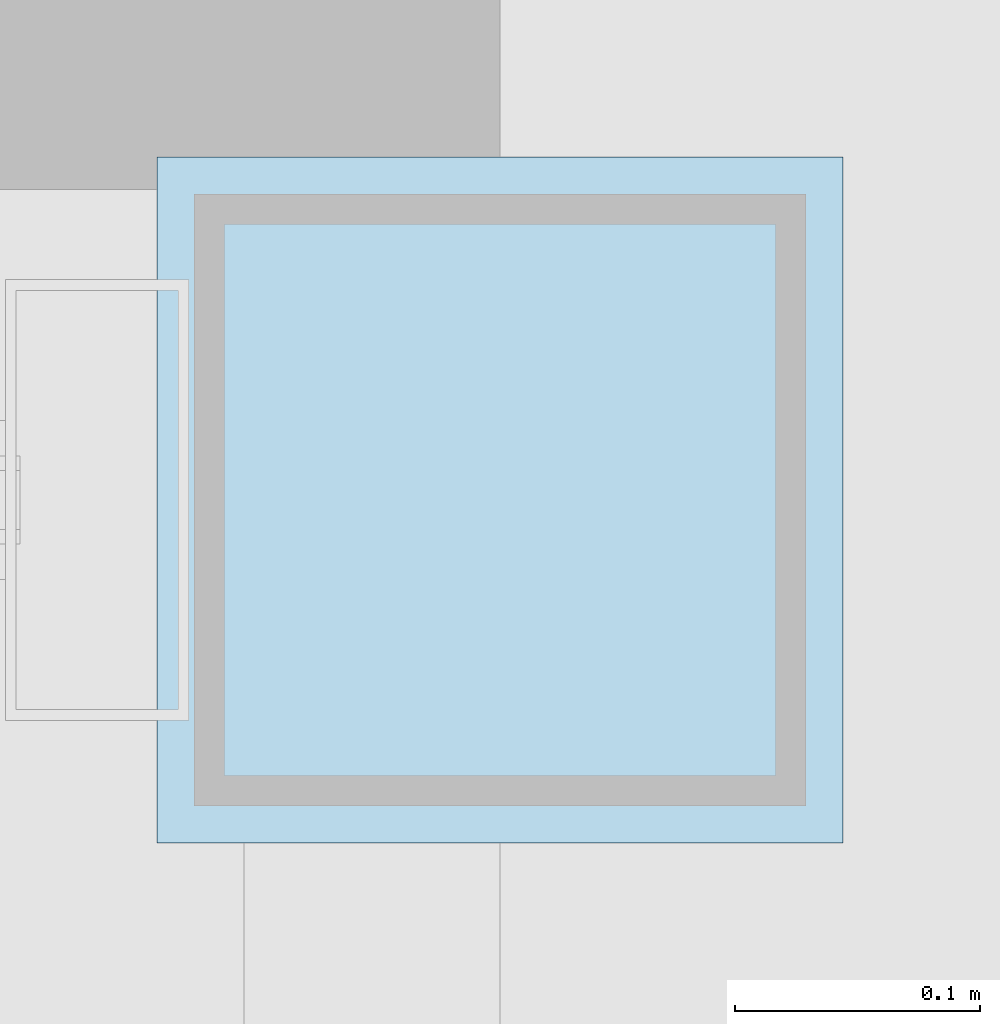
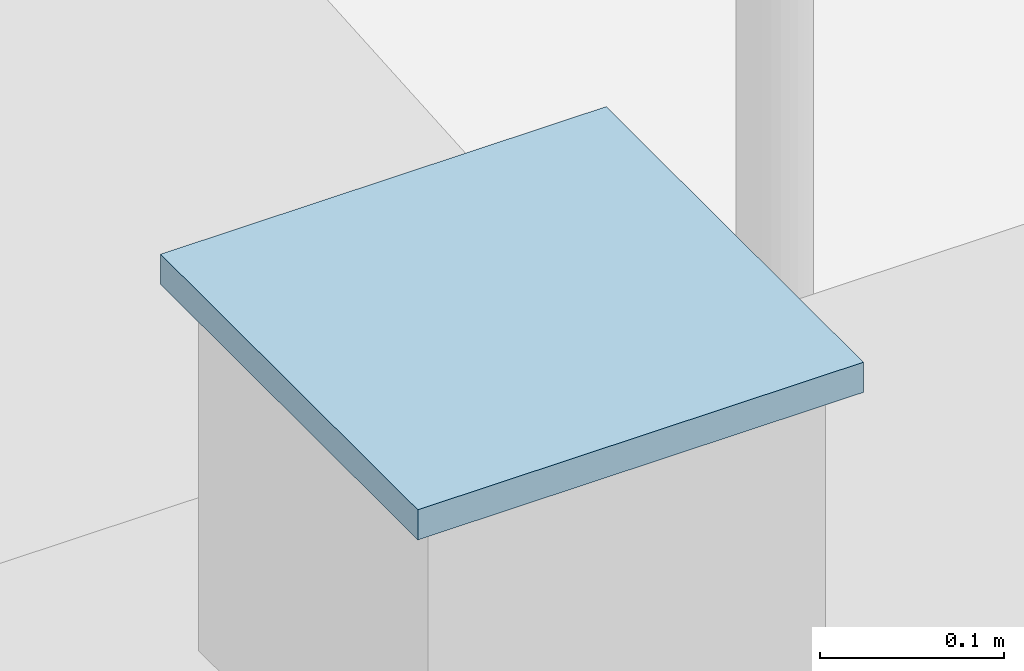
# One storey, part 79 of 113: 1 plate.
"""IFC4 building model written with IfcOpenShell, lengths in metres."""

from ifc_helpers import new_model, si_unit, direction, frame, origin, origin_2d, place, context, subcontext, project, spatial, rectangle, extrude, material, layer, layer_set, type_object, element, save


model = new_model("IFC4")

# Units and contexts
model_context = context("Model", 3, precision=1e-05, world=origin(), true_north=direction((0.0, 1.0)))
body_context = subcontext(model_context, "Body", "Model", "MODEL_VIEW")
ifc_project = project(units=[si_unit("LENGTHUNIT", "METRE"), si_unit("AREAUNIT", "SQUARE_METRE"), si_unit("VOLUMEUNIT", "CUBIC_METRE"), si_unit("PLANEANGLEUNIT", "RADIAN"), si_unit("MASSUNIT", "GRAM", prefix="KILO"), si_unit("POWERUNIT", "WATT"), si_unit("THERMODYNAMICTEMPERATUREUNIT", "KELVIN")], contexts=[model_context])

# Site, building, storey
site_placement = place(None, origin())
site = spatial("IfcSite", under=ifc_project, at=site_placement, CompositionType="ELEMENT")
building_placement = place(site_placement, origin())
building = spatial("IfcBuilding", under=site, at=building_placement, Name="Kelmbourne Parkland Aquatics Centre", CompositionType="ELEMENT")
storey_placement = place(building_placement, origin())
storey = spatial("IfcBuildingStorey", under=building, at=storey_placement, Name="L00", CompositionType="ELEMENT", Elevation=0.0)

# Plate
ifc_material = material(Name="Welded plate steel AS/NZS 3678 Grade 350", Category="steel")
ifc_layer = layer(ifc_material, 0.02001953125)
ifc_layer_set = layer_set([ifc_layer], Name="Welded plate steel AS/NZS 3678 Grade 350")
plate_type = type_object("IfcPlateType", Name="PL-CAP-20", PredefinedType="USERDEFINED", material=ifc_layer_set)
plate_placement = place(storey_placement, frame((96.0, 23.60009765625, 5.39892578125), z_axis=(0.0, 0.0, 1.0), x_axis=(1.0, 0.0, 0.0)))
element("IfcPlate", 1, at=plate_placement, inside=storey, type_object=plate_type, Name="Hollow end cap plate CAP-0010", ObjectType="END CAP PLATE", PredefinedType="USERDEFINED", context=body_context, shape_type="SweptSolid", body=[
    extrude(rectangle(XDim=0.280029296875, YDim=0.280029296875, at=origin_2d()), origin(), (0.0, 0.0, 1.0), 0.02001953125),
])

save(model, "model.ifc")
